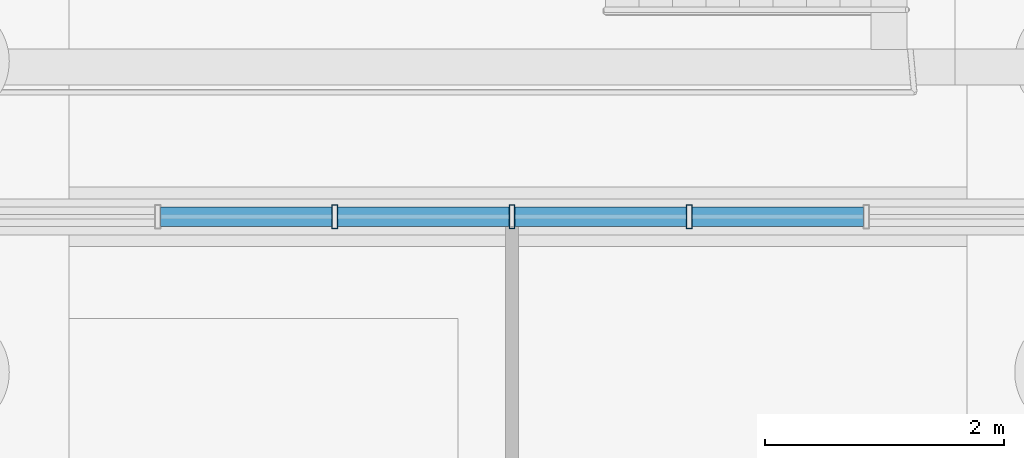
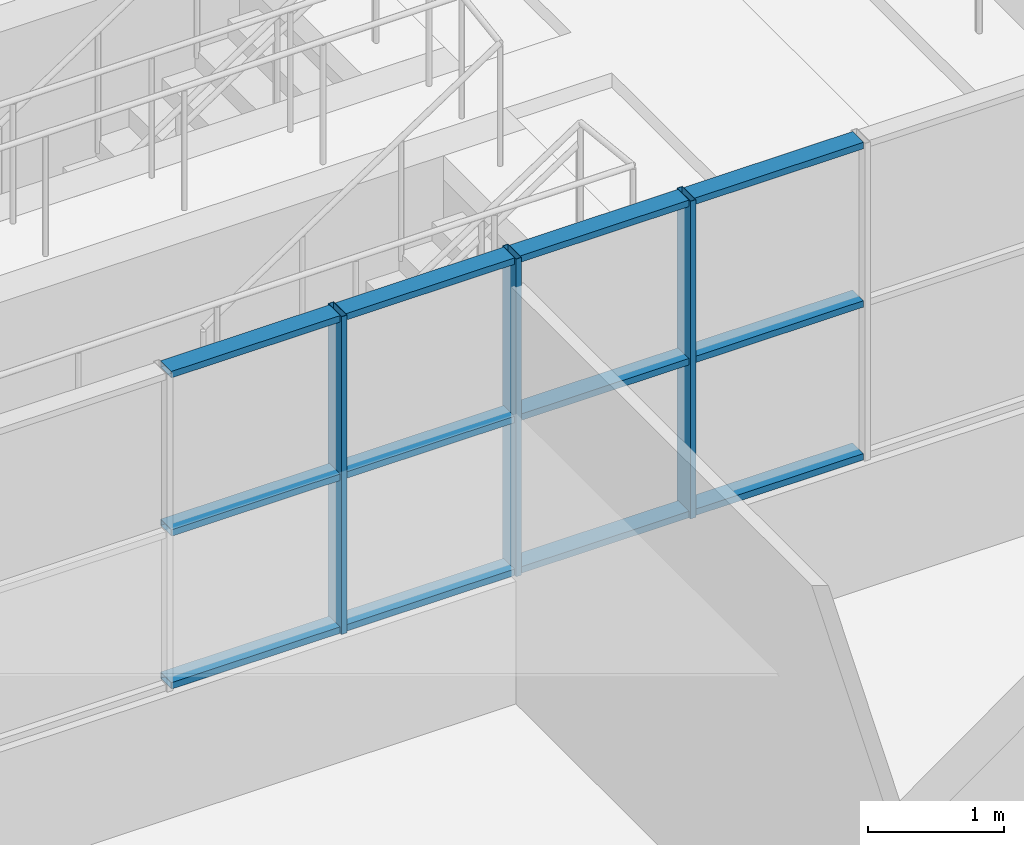
# One storey, part 74 of 136: 15 members, 1 element without a shape of its own.
"""IFC4 building model written with IfcOpenShell, lengths in metres."""

import ifcopenshell
import ifcopenshell.guid

model = None  # the IFC model being written
_history = None  # IfcOwnerHistory: only IFC2X3 demands one
_inside = {}  # id of a spatial element -> (the spatial element, [elements in it])
_under = {}  # id of a project, library or spatial element -> (it, [spatial elements below it])
_declared = {}  # id of a project -> (the project, [libraries it declares])
_typed = {}  # id of a type object -> (the type object, [elements of that type])
_made_of = {}  # id of a material, layer set ... -> (it, [elements and type objects made of it])


def new_model(schema):
    """Start an empty IFC model of exactly this schema.

    Asked for "IFC4X3", IfcOpenShell would pick the latest addendum, in which some entities
    have other attributes; the version numbers below select the first issue.
    IFC2X3 requires an IfcOwnerHistory on every rooted entity: one is made here for all.
    """
    global model, _history
    if schema == "IFC4X3":
        model = ifcopenshell.file(schema_version=(4, 3, 0, 0))
    else:
        model = ifcopenshell.file(schema=schema)
    _inside.clear()
    _under.clear()
    _declared.clear()
    _typed.clear()
    _made_of.clear()
    _history = None
    if model.schema == "IFC2X3":
        org = make("IfcOrganization", Name="unknown")
        user = make(
            "IfcPersonAndOrganization",
            ThePerson=make("IfcPerson", FamilyName="unknown"),
            TheOrganization=org,
        )
        app = make(
            "IfcApplication",
            ApplicationDeveloper=org,
            Version="unknown",
            ApplicationFullName="unknown",
            ApplicationIdentifier="unknown",
        )
        _history = make(
            "IfcOwnerHistory",
            OwningUser=user,
            OwningApplication=app,
            ChangeAction="ADDED",
            CreationDate=0,
        )
    return model


def make(cls, **values):
    """One entity of the class cls with the attributes given. An attribute that is None is left unset."""
    return model.create_entity(
        cls, **{name: value for name, value in values.items() if value is not None}
    )


def rooted(cls, **values):
    """An entity with a GlobalId (a new one), such as an element, a storey or a relation."""
    return make(cls, GlobalId=ifcopenshell.guid.new(), OwnerHistory=_history, **values)


def si_unit(unit_type, name, prefix=None):
    """IfcSIUnit, for example si_unit("LENGTHUNIT", "METRE", prefix="MILLI")."""
    return make("IfcSIUnit", UnitType=unit_type, Prefix=prefix, Name=name)


def assignment(units):
    """IfcUnitAssignment: the units of a project."""
    return None if units is None else make("IfcUnitAssignment", Units=units)


def point(xyz):
    """IfcCartesianPoint."""
    return None if xyz is None else make("IfcCartesianPoint", Coordinates=xyz)


def direction(xyz):
    """IfcDirection."""
    return None if xyz is None else make("IfcDirection", DirectionRatios=xyz)


def frame(location, z_axis=None, x_axis=None):
    """IfcAxis2Placement3D, a coordinate frame: its origin and axes. An axis left out is left unset."""
    return make(
        "IfcAxis2Placement3D",
        Location=point(location),
        Axis=direction(z_axis),
        RefDirection=direction(x_axis),
    )


def frame_2d(location, x_axis=None):
    """IfcAxis2Placement2D, a coordinate frame in the plane: its origin and x axis."""
    return make(
        "IfcAxis2Placement2D", Location=point(location), RefDirection=direction(x_axis)
    )


def origin():
    """The frame at (0, 0, 0) with its axes left unset."""
    return frame((0.0, 0.0, 0.0))


def origin_2d():
    """The frame at (0, 0) in the plane with its x axis left unset."""
    return frame_2d((0.0, 0.0))


def place(relative_to, where):
    """IfcLocalPlacement: puts the frame where relative to a parent placement (None: the world)."""
    return make(
        "IfcLocalPlacement", PlacementRelTo=relative_to, RelativePlacement=where
    )


def context(
    kind, dimensions, precision=None, world=None, true_north=None, identifier=None
):
    """IfcGeometricRepresentationContext, for example the 3D "Model" context."""
    return make(
        "IfcGeometricRepresentationContext",
        ContextIdentifier=identifier,
        ContextType=kind,
        CoordinateSpaceDimension=dimensions,
        Precision=precision,
        WorldCoordinateSystem=world,
        TrueNorth=true_north,
    )


def subcontext(parent, identifier, kind, view, scale=None):
    """IfcGeometricRepresentationSubContext, for example "Body" below "Model"."""
    return make(
        "IfcGeometricRepresentationSubContext",
        ContextIdentifier=identifier,
        ContextType=kind,
        ParentContext=parent,
        TargetScale=scale,
        TargetView=view,
    )


def project(units=None, contexts=None):
    """IfcProject with its units and contexts."""
    return rooted(
        "IfcProject",
        Name="project",
        RepresentationContexts=contexts,
        UnitsInContext=assignment(units),
    )


def spatial(cls, under=None, at=None, **own):
    """A site, building, storey or space (cls), placed at a placement, below another one or the project."""
    s = rooted(cls, ObjectPlacement=at, **own)
    if under is not None:
        _under.setdefault(under.id(), (under, []))[1].append(s)
    return s


def profile(cls, at=None, kind="AREA", **sizes):
    """A parametric profile (cls). Its sizes go by their IFC names, for example OverallWidth=200.0."""
    return make(cls, ProfileType=kind, Position=at, **sizes)


def hollow_rectangle(**sizes):
    """IfcRectangleHollowProfileDef."""
    return profile("IfcRectangleHollowProfileDef", **sizes)


def extrude(swept, where, along, depth):
    """IfcExtrudedAreaSolid: the profile swept, set in the frame where, extruded along a direction by depth."""
    return make(
        "IfcExtrudedAreaSolid",
        SweptArea=swept,
        Position=where,
        ExtrudedDirection=direction(along),
        Depth=depth,
    )


def shape(context_of_items, identifier, shape_type, items):
    """IfcShapeRepresentation: the items that make up one representation, for example the "Body"."""
    return make(
        "IfcShapeRepresentation",
        ContextOfItems=context_of_items,
        RepresentationIdentifier=identifier,
        RepresentationType=shape_type,
        Items=items,
    )


def material(Name=None, Category=None):
    """IfcMaterial."""
    return make("IfcMaterial", Name=Name, Category=Category)


def layer(
    of_material, thickness, ventilated=None, Name=None, Category=None, Priority=None
):
    """IfcMaterialLayer: one layer of a wall or slab, of a material (None: an air gap)."""
    return make(
        "IfcMaterialLayer",
        Material=of_material,
        LayerThickness=thickness,
        IsVentilated=ventilated,
        Name=Name,
        Category=Category,
        Priority=Priority,
    )


def layer_set(layers, Name=None):
    """IfcMaterialLayerSet."""
    return make("IfcMaterialLayerSet", MaterialLayers=layers, LayerSetName=Name)


def material_profile(
    of_material, cross_section, Name=None, Category=None, Priority=None
):
    """IfcMaterialProfile: a cross section and its material."""
    return make(
        "IfcMaterialProfile",
        Name=Name,
        Material=of_material,
        Profile=cross_section,
        Priority=Priority,
        Category=Category,
    )


def profile_set(profiles, Name=None, composite=None):
    """IfcMaterialProfileSet."""
    return make(
        "IfcMaterialProfileSet",
        Name=Name,
        MaterialProfiles=profiles,
        CompositeProfile=composite,
    )


def made_of(thing, what):
    """Note that an element or type object is made of a material, layer set ...; save() writes the relation."""
    if what is not None:
        _made_of.setdefault(what.id(), (what, []))[1].append(thing)
    return thing


def type_object(cls, material=None, **own):
    """A type object (cls), such as IfcWallType, which elements share."""
    return made_of(rooted(cls, **own), material)


def element(
    cls,
    number,
    at=None,
    inside=None,
    cuts=None,
    type_object=None,
    material=None,
    context=None,
    identifier="Body",
    shape_type=None,
    held_by="IfcProductDefinitionShape",
    body=None,
    shapes=None,
    **own,
):
    """One element of the class cls, such as IfcWall. Its Tag is "e" and its number.

    at: its placement. inside: the storey or other place that contains it. cuts: it is an
    opening in that element (IfcRelVoidsElement). A single representation is given by context,
    identifier, shape_type and body (its items); several are given by shapes. held_by: the class
    of the entity that holds the representations. save() writes the other relations.
    """
    e = rooted(cls, Tag="e%d" % number, ObjectPlacement=at, **own)
    if body is not None:
        shapes = [shape(context, identifier, shape_type, body)]
    if shapes is not None:
        e.Representation = make(held_by, Representations=shapes)
    if inside is not None:
        _inside.setdefault(inside.id(), (inside, []))[1].append(e)
    if cuts is not None:
        rooted(
            "IfcRelVoidsElement", RelatingBuildingElement=cuts, RelatedOpeningElement=e
        )
    if type_object is not None:
        _typed.setdefault(type_object.id(), (type_object, []))[1].append(e)
    return made_of(e, material)


def aggregate(whole, parts):
    """IfcRelAggregates: a whole, such as a stair, and the parts it consists of."""
    return rooted("IfcRelAggregates", RelatingObject=whole, RelatedObjects=parts)


def save(model, path):
    """Write the relations noted so far, then the file.

    IfcRelAggregates (storeys below a building ...), IfcRelContainedInSpatialStructure (elements
    in a storey), IfcRelDefinesByType, IfcRelAssociatesMaterial and IfcRelDeclares: one each for
    every whole, place, type object, material and project.
    """
    for whole, parts in _under.values():
        aggregate(whole, parts)
    for where, things in _inside.values():
        rooted(
            "IfcRelContainedInSpatialStructure",
            RelatedElements=things,
            RelatingStructure=where,
        )
    for kind, things in _typed.values():
        rooted("IfcRelDefinesByType", RelatedObjects=things, RelatingType=kind)
    for what, things in _made_of.values():
        rooted("IfcRelAssociatesMaterial", RelatedObjects=things, RelatingMaterial=what)
    for by, libraries in _declared.values():
        rooted("IfcRelDeclares", RelatingContext=by, RelatedDefinitions=libraries)
    model.write(path)


model = new_model("IFC4")

# Units and contexts
model_context = context("Model", 3, precision=1e-05, world=origin(), true_north=direction((0.0, 1.0)))
body_context = subcontext(model_context, "Body", "Model", "MODEL_VIEW")
ifc_project = project(units=[si_unit("LENGTHUNIT", "METRE"), si_unit("AREAUNIT", "SQUARE_METRE"), si_unit("VOLUMEUNIT", "CUBIC_METRE"), si_unit("PLANEANGLEUNIT", "RADIAN"), si_unit("MASSUNIT", "GRAM", prefix="KILO")], contexts=[model_context])

# Site, building, storey
site_placement = place(None, origin())
site = spatial("IfcSite", under=ifc_project, at=site_placement, CompositionType="ELEMENT")
building_placement = place(site_placement, origin())
building = spatial("IfcBuilding", under=site, at=building_placement, Name="Solvenia Promenade Tram Depot", CompositionType="ELEMENT")
storey_placement = place(building_placement, origin())
storey = spatial("IfcBuildingStorey", under=building, at=storey_placement, Name="L00", CompositionType="ELEMENT", Elevation=0.0)

# Curtain wall, members
ifc_material = material(Name="Anodized aluminium AW-6063 T6", Category="aluminium")
ifc_layer = layer(ifc_material, 0.179931640625, Name="Anodized aluminium AW-6063 T6", Category="aluminium")
ifc_layer_set = layer_set([ifc_layer], Name="Anodized aluminium AW-6063 T6")
curtain_wall_type = type_object("IfcCurtainWallType", Name="CW-Solar-1500", PredefinedType="NOTDEFINED", material=ifc_layer_set)
curtain_wall_placement = place(storey_placement, origin())
curtain_wall = element("IfcCurtainWall", 1, at=curtain_wall_placement, inside=storey, type_object=curtain_wall_type, Name="Curtain Wall CW-V2S-L0-07", PredefinedType="NOTDEFINED")
ifc_material_profile_1 = material_profile(ifc_material, hollow_rectangle(XDim=0.199951171875, YDim=0.048095703125, WallThickness=0.00390625, at=origin_2d()), Name="ALU-M3", Category="aluminium")
ifc_profile_set_1 = profile_set([ifc_material_profile_1], Name="Anodized aluminium AW-6063 T6")
member_type_1 = type_object("IfcMemberType", Name="CWM-Mullion-3", PredefinedType="MULLION", material=ifc_profile_set_1)
member_1_placement = place(storey_placement, frame((154.52001953125, 24.0, 1.10009765625), z_axis=(0.0, 0.0, 1.0), x_axis=(0.0, 1.0, 0.0)))
member_1 = element("IfcMember", 2, at=member_1_placement, type_object=member_type_1, Name="CW-7 mullion 4", PredefinedType="MULLION", context=body_context, shape_type="SweptSolid", body=[
    extrude(hollow_rectangle(XDim=0.199951171875, YDim=0.048095703125, WallThickness=0.00390625, at=origin_2d()), origin(), (0.0, 0.0, 1.0), 2.849853515625),
])
member_2_placement = place(storey_placement, frame((156.0, 24.0, 1.10009765625), z_axis=(0.0, 0.0, 1.0), x_axis=(0.0, 1.0, 0.0)))
member_2 = element("IfcMember", 3, at=member_2_placement, type_object=member_type_1, Name="CW-7 mullion 5", PredefinedType="MULLION", context=body_context, shape_type="SweptSolid", body=[
    extrude(hollow_rectangle(XDim=0.199951171875, YDim=0.048095703125, WallThickness=0.00390625, at=origin_2d()), origin(), (0.0, 0.0, 1.0), 2.849853515625),
])
member_3_placement = place(storey_placement, frame((157.47998046875, 24.0, 1.10009765625), z_axis=(0.0, 0.0, 1.0), x_axis=(0.0, 1.0, 0.0)))
member_3 = element("IfcMember", 4, at=member_3_placement, type_object=member_type_1, Name="CW-7 mullion 6", PredefinedType="MULLION", context=body_context, shape_type="SweptSolid", body=[
    extrude(hollow_rectangle(XDim=0.199951171875, YDim=0.048095703125, WallThickness=0.00390625, at=origin_2d()), origin(), (0.0, 0.0, 1.0), 2.849853515625),
])
ifc_material_profile_2 = material_profile(ifc_material, hollow_rectangle(XDim=0.159912109375, YDim=0.05810546875, WallThickness=0.00390625, at=origin_2d()), Name="ALU-T3", Category="aluminium")
ifc_profile_set_2 = profile_set([ifc_material_profile_2], Name="Anodized aluminium AW-6063 T6")
member_type_2 = type_object("IfcMemberType", Name="CWT-Transom-3", PredefinedType="USERDEFINED", material=ifc_profile_set_2)
member_4_placement = place(storey_placement, frame((153.06396484375, 24.0, 1.12890625), z_axis=(1.0, 0.0, 0.0), x_axis=(0.0, 1.0, 0.0)))
member_4 = element("IfcMember", 5, at=member_4_placement, type_object=member_type_2, Name="CW-7 transom 3.1", ObjectType="TRANSOM", PredefinedType="USERDEFINED", context=body_context, shape_type="SweptSolid", body=[
    extrude(hollow_rectangle(XDim=0.159912109375, YDim=0.05810546875, WallThickness=0.00390625, at=origin_2d()), origin(), (0.0, 0.0, 1.0), 1.43212890625),
])
member_5_placement = place(storey_placement, frame((153.06396484375, 24.0, 2.5), z_axis=(1.0, 0.0, 0.0), x_axis=(0.0, 1.0, 0.0)))
member_5 = element("IfcMember", 6, at=member_5_placement, type_object=member_type_2, Name="CW-7 transom 3.2", ObjectType="TRANSOM", PredefinedType="USERDEFINED", context=body_context, shape_type="SweptSolid", body=[
    extrude(hollow_rectangle(XDim=0.159912109375, YDim=0.05810546875, WallThickness=0.00390625, at=origin_2d()), origin(), (0.0, 0.0, 1.0), 1.43212890625),
])
member_6_placement = place(storey_placement, frame((153.06396484375, 24.0, 3.9208984375), z_axis=(1.0, 0.0, 0.0), x_axis=(0.0, 1.0, 0.0)))
member_6 = element("IfcMember", 7, at=member_6_placement, type_object=member_type_2, Name="CW-7 transom 3.3", ObjectType="TRANSOM", PredefinedType="USERDEFINED", context=body_context, shape_type="SweptSolid", body=[
    extrude(hollow_rectangle(XDim=0.159912109375, YDim=0.05810546875, WallThickness=0.00390625, at=origin_2d()), origin(), (0.0, 0.0, 1.0), 1.43212890625),
])
member_7_placement = place(storey_placement, frame((154.5439453125, 24.0, 1.12890625), z_axis=(1.0, 0.0, 0.0), x_axis=(0.0, 1.0, 0.0)))
member_7 = element("IfcMember", 8, at=member_7_placement, type_object=member_type_2, Name="CW-7 transom 4.1", ObjectType="TRANSOM", PredefinedType="USERDEFINED", context=body_context, shape_type="SweptSolid", body=[
    extrude(hollow_rectangle(XDim=0.159912109375, YDim=0.05810546875, WallThickness=0.00390625, at=origin_2d()), origin(), (0.0, 0.0, 1.0), 1.43212890625),
])
member_8_placement = place(storey_placement, frame((154.5439453125, 24.0, 2.5), z_axis=(1.0, 0.0, 0.0), x_axis=(0.0, 1.0, 0.0)))
member_8 = element("IfcMember", 9, at=member_8_placement, type_object=member_type_2, Name="CW-7 transom 4.2", ObjectType="TRANSOM", PredefinedType="USERDEFINED", context=body_context, shape_type="SweptSolid", body=[
    extrude(hollow_rectangle(XDim=0.159912109375, YDim=0.05810546875, WallThickness=0.00390625, at=origin_2d()), origin(), (0.0, 0.0, 1.0), 1.43212890625),
])
member_9_placement = place(storey_placement, frame((154.5439453125, 24.0, 3.9208984375), z_axis=(1.0, 0.0, 0.0), x_axis=(0.0, 1.0, 0.0)))
member_9 = element("IfcMember", 10, at=member_9_placement, type_object=member_type_2, Name="CW-7 transom 4.3", ObjectType="TRANSOM", PredefinedType="USERDEFINED", context=body_context, shape_type="SweptSolid", body=[
    extrude(hollow_rectangle(XDim=0.159912109375, YDim=0.05810546875, WallThickness=0.00390625, at=origin_2d()), origin(), (0.0, 0.0, 1.0), 1.43212890625),
])
member_10_placement = place(storey_placement, frame((156.02392578125, 24.0, 1.12890625), z_axis=(1.0, 0.0, 0.0), x_axis=(0.0, 1.0, 0.0)))
member_10 = element("IfcMember", 11, at=member_10_placement, type_object=member_type_2, Name="CW-7 transom 5.1", ObjectType="TRANSOM", PredefinedType="USERDEFINED", context=body_context, shape_type="SweptSolid", body=[
    extrude(hollow_rectangle(XDim=0.159912109375, YDim=0.05810546875, WallThickness=0.00390625, at=origin_2d()), origin(), (0.0, 0.0, 1.0), 1.43212890625),
])
member_11_placement = place(storey_placement, frame((156.02392578125, 24.0, 2.5), z_axis=(1.0, 0.0, 0.0), x_axis=(0.0, 1.0, 0.0)))
member_11 = element("IfcMember", 12, at=member_11_placement, type_object=member_type_2, Name="CW-7 transom 5.2", ObjectType="TRANSOM", PredefinedType="USERDEFINED", context=body_context, shape_type="SweptSolid", body=[
    extrude(hollow_rectangle(XDim=0.159912109375, YDim=0.05810546875, WallThickness=0.00390625, at=origin_2d()), origin(), (0.0, 0.0, 1.0), 1.43212890625),
])
member_12_placement = place(storey_placement, frame((156.02392578125, 24.0, 3.9208984375), z_axis=(1.0, 0.0, 0.0), x_axis=(0.0, 1.0, 0.0)))
member_12 = element("IfcMember", 13, at=member_12_placement, type_object=member_type_2, Name="CW-7 transom 5.3", ObjectType="TRANSOM", PredefinedType="USERDEFINED", context=body_context, shape_type="SweptSolid", body=[
    extrude(hollow_rectangle(XDim=0.159912109375, YDim=0.05810546875, WallThickness=0.00390625, at=origin_2d()), origin(), (0.0, 0.0, 1.0), 1.43212890625),
])
member_13_placement = place(storey_placement, frame((157.50390625, 24.0, 1.12890625), z_axis=(1.0, 0.0, 0.0), x_axis=(0.0, 1.0, 0.0)))
member_13 = element("IfcMember", 14, at=member_13_placement, type_object=member_type_2, Name="CW-7 transom 6.1", ObjectType="TRANSOM", PredefinedType="USERDEFINED", context=body_context, shape_type="SweptSolid", body=[
    extrude(hollow_rectangle(XDim=0.159912109375, YDim=0.05810546875, WallThickness=0.00390625, at=origin_2d()), origin(), (0.0, 0.0, 1.0), 1.43212890625),
])
member_14_placement = place(storey_placement, frame((157.50390625, 24.0, 2.5), z_axis=(1.0, 0.0, 0.0), x_axis=(0.0, 1.0, 0.0)))
member_14 = element("IfcMember", 15, at=member_14_placement, type_object=member_type_2, Name="CW-7 transom 6.2", ObjectType="TRANSOM", PredefinedType="USERDEFINED", context=body_context, shape_type="SweptSolid", body=[
    extrude(hollow_rectangle(XDim=0.159912109375, YDim=0.05810546875, WallThickness=0.00390625, at=origin_2d()), origin(), (0.0, 0.0, 1.0), 1.43212890625),
])
member_15_placement = place(storey_placement, frame((157.50390625, 24.0, 3.9208984375), z_axis=(1.0, 0.0, 0.0), x_axis=(0.0, 1.0, 0.0)))
member_15 = element("IfcMember", 16, at=member_15_placement, type_object=member_type_2, Name="CW-7 transom 6.3", ObjectType="TRANSOM", PredefinedType="USERDEFINED", context=body_context, shape_type="SweptSolid", body=[
    extrude(hollow_rectangle(XDim=0.159912109375, YDim=0.05810546875, WallThickness=0.00390625, at=origin_2d()), origin(), (0.0, 0.0, 1.0), 1.43212890625),
])
aggregate(curtain_wall, [member_1, member_2, member_3, member_4, member_5, member_6, member_7, member_8, member_9, member_10, member_11, member_12, member_13, member_14, member_15])

save(model, "model.ifc")
